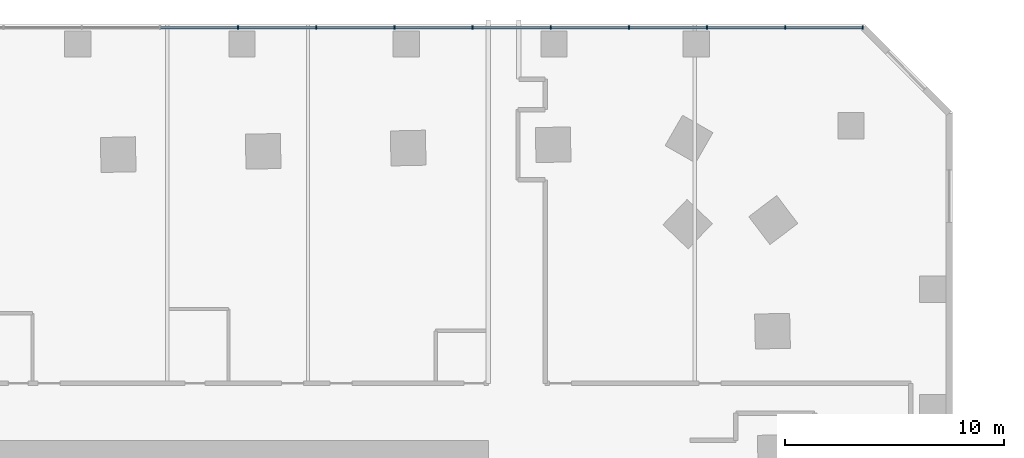
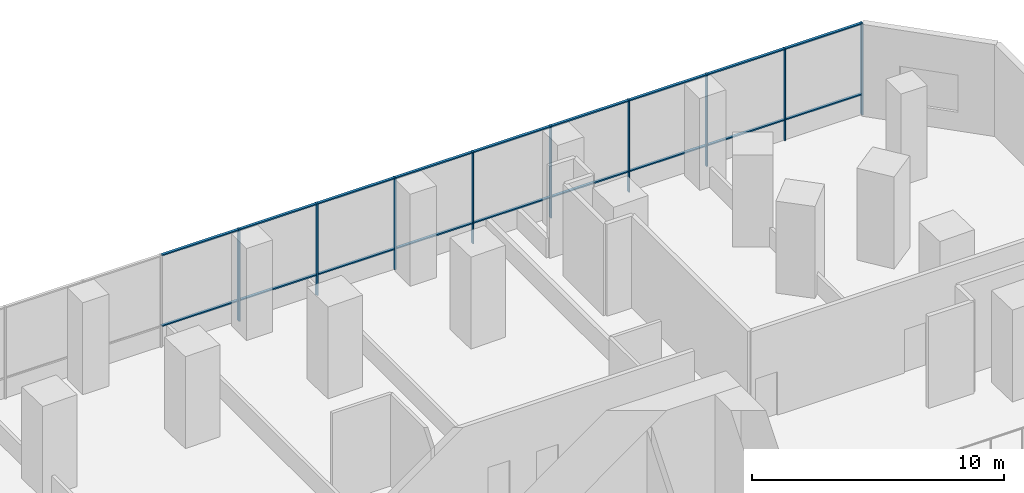
# One storey, part 3 of 11: 27 members, 1 element without a shape of its own.
"""IFC4 building model written with IfcOpenShell, lengths in metres."""

import ifcopenshell
import ifcopenshell.guid

model = None  # the IFC model being written
_history = None  # IfcOwnerHistory: only IFC2X3 demands one
_inside = {}  # id of a spatial element -> (the spatial element, [elements in it])
_under = {}  # id of a project, library or spatial element -> (it, [spatial elements below it])
_declared = {}  # id of a project -> (the project, [libraries it declares])
_typed = {}  # id of a type object -> (the type object, [elements of that type])
_made_of = {}  # id of a material, layer set ... -> (it, [elements and type objects made of it])


def new_model(schema):
    """Start an empty IFC model of exactly this schema.

    Asked for "IFC4X3", IfcOpenShell would pick the latest addendum, in which some entities
    have other attributes; the version numbers below select the first issue.
    IFC2X3 requires an IfcOwnerHistory on every rooted entity: one is made here for all.
    """
    global model, _history
    if schema == "IFC4X3":
        model = ifcopenshell.file(schema_version=(4, 3, 0, 0))
    else:
        model = ifcopenshell.file(schema=schema)
    _inside.clear()
    _under.clear()
    _declared.clear()
    _typed.clear()
    _made_of.clear()
    _history = None
    if model.schema == "IFC2X3":
        org = make("IfcOrganization", Name="unknown")
        user = make(
            "IfcPersonAndOrganization",
            ThePerson=make("IfcPerson", FamilyName="unknown"),
            TheOrganization=org,
        )
        app = make(
            "IfcApplication",
            ApplicationDeveloper=org,
            Version="unknown",
            ApplicationFullName="unknown",
            ApplicationIdentifier="unknown",
        )
        _history = make(
            "IfcOwnerHistory",
            OwningUser=user,
            OwningApplication=app,
            ChangeAction="ADDED",
            CreationDate=0,
        )
    return model


def make(cls, **values):
    """One entity of the class cls with the attributes given. An attribute that is None is left unset."""
    return model.create_entity(
        cls, **{name: value for name, value in values.items() if value is not None}
    )


def rooted(cls, **values):
    """An entity with a GlobalId (a new one), such as an element, a storey or a relation."""
    return make(cls, GlobalId=ifcopenshell.guid.new(), OwnerHistory=_history, **values)


def si_unit(unit_type, name, prefix=None):
    """IfcSIUnit, for example si_unit("LENGTHUNIT", "METRE", prefix="MILLI")."""
    return make("IfcSIUnit", UnitType=unit_type, Prefix=prefix, Name=name)


def assignment(units):
    """IfcUnitAssignment: the units of a project."""
    return None if units is None else make("IfcUnitAssignment", Units=units)


def point(xyz):
    """IfcCartesianPoint."""
    return None if xyz is None else make("IfcCartesianPoint", Coordinates=xyz)


def direction(xyz):
    """IfcDirection."""
    return None if xyz is None else make("IfcDirection", DirectionRatios=xyz)


def frame(location, z_axis=None, x_axis=None):
    """IfcAxis2Placement3D, a coordinate frame: its origin and axes. An axis left out is left unset."""
    return make(
        "IfcAxis2Placement3D",
        Location=point(location),
        Axis=direction(z_axis),
        RefDirection=direction(x_axis),
    )


def frame_2d(location, x_axis=None):
    """IfcAxis2Placement2D, a coordinate frame in the plane: its origin and x axis."""
    return make(
        "IfcAxis2Placement2D", Location=point(location), RefDirection=direction(x_axis)
    )


def origin():
    """The frame at (0, 0, 0) with its axes left unset."""
    return frame((0.0, 0.0, 0.0))


def origin_2d():
    """The frame at (0, 0) in the plane with its x axis left unset."""
    return frame_2d((0.0, 0.0))


def place(relative_to, where):
    """IfcLocalPlacement: puts the frame where relative to a parent placement (None: the world)."""
    return make(
        "IfcLocalPlacement", PlacementRelTo=relative_to, RelativePlacement=where
    )


def context(
    kind, dimensions, precision=None, world=None, true_north=None, identifier=None
):
    """IfcGeometricRepresentationContext, for example the 3D "Model" context."""
    return make(
        "IfcGeometricRepresentationContext",
        ContextIdentifier=identifier,
        ContextType=kind,
        CoordinateSpaceDimension=dimensions,
        Precision=precision,
        WorldCoordinateSystem=world,
        TrueNorth=true_north,
    )


def subcontext(parent, identifier, kind, view, scale=None):
    """IfcGeometricRepresentationSubContext, for example "Body" below "Model"."""
    return make(
        "IfcGeometricRepresentationSubContext",
        ContextIdentifier=identifier,
        ContextType=kind,
        ParentContext=parent,
        TargetScale=scale,
        TargetView=view,
    )


def project(units=None, contexts=None):
    """IfcProject with its units and contexts."""
    return rooted(
        "IfcProject",
        Name="project",
        RepresentationContexts=contexts,
        UnitsInContext=assignment(units),
    )


def spatial(cls, under=None, at=None, **own):
    """A site, building, storey or space (cls), placed at a placement, below another one or the project."""
    s = rooted(cls, ObjectPlacement=at, **own)
    if under is not None:
        _under.setdefault(under.id(), (under, []))[1].append(s)
    return s


def profile(cls, at=None, kind="AREA", **sizes):
    """A parametric profile (cls). Its sizes go by their IFC names, for example OverallWidth=200.0."""
    return make(cls, ProfileType=kind, Position=at, **sizes)


def rectangle(**sizes):
    """IfcRectangleProfileDef."""
    return profile("IfcRectangleProfileDef", **sizes)


def extrude(swept, where, along, depth):
    """IfcExtrudedAreaSolid: the profile swept, set in the frame where, extruded along a direction by depth."""
    return make(
        "IfcExtrudedAreaSolid",
        SweptArea=swept,
        Position=where,
        ExtrudedDirection=direction(along),
        Depth=depth,
    )


def shape(context_of_items, identifier, shape_type, items):
    """IfcShapeRepresentation: the items that make up one representation, for example the "Body"."""
    return make(
        "IfcShapeRepresentation",
        ContextOfItems=context_of_items,
        RepresentationIdentifier=identifier,
        RepresentationType=shape_type,
        Items=items,
    )


def material(Name=None, Category=None):
    """IfcMaterial."""
    return make("IfcMaterial", Name=Name, Category=Category)


def material_profile(
    of_material, cross_section, Name=None, Category=None, Priority=None
):
    """IfcMaterialProfile: a cross section and its material."""
    return make(
        "IfcMaterialProfile",
        Name=Name,
        Material=of_material,
        Profile=cross_section,
        Priority=Priority,
        Category=Category,
    )


def profile_set(profiles, Name=None, composite=None):
    """IfcMaterialProfileSet."""
    return make(
        "IfcMaterialProfileSet",
        Name=Name,
        MaterialProfiles=profiles,
        CompositeProfile=composite,
    )


def made_of(thing, what):
    """Note that an element or type object is made of a material, layer set ...; save() writes the relation."""
    if what is not None:
        _made_of.setdefault(what.id(), (what, []))[1].append(thing)
    return thing


def type_object(cls, material=None, **own):
    """A type object (cls), such as IfcWallType, which elements share."""
    return made_of(rooted(cls, **own), material)


def element(
    cls,
    number,
    at=None,
    inside=None,
    cuts=None,
    type_object=None,
    material=None,
    context=None,
    identifier="Body",
    shape_type=None,
    held_by="IfcProductDefinitionShape",
    body=None,
    shapes=None,
    **own,
):
    """One element of the class cls, such as IfcWall. Its Tag is "e" and its number.

    at: its placement. inside: the storey or other place that contains it. cuts: it is an
    opening in that element (IfcRelVoidsElement). A single representation is given by context,
    identifier, shape_type and body (its items); several are given by shapes. held_by: the class
    of the entity that holds the representations. save() writes the other relations.
    """
    e = rooted(cls, Tag="e%d" % number, ObjectPlacement=at, **own)
    if body is not None:
        shapes = [shape(context, identifier, shape_type, body)]
    if shapes is not None:
        e.Representation = make(held_by, Representations=shapes)
    if inside is not None:
        _inside.setdefault(inside.id(), (inside, []))[1].append(e)
    if cuts is not None:
        rooted(
            "IfcRelVoidsElement", RelatingBuildingElement=cuts, RelatedOpeningElement=e
        )
    if type_object is not None:
        _typed.setdefault(type_object.id(), (type_object, []))[1].append(e)
    return made_of(e, material)


def aggregate(whole, parts):
    """IfcRelAggregates: a whole, such as a stair, and the parts it consists of."""
    return rooted("IfcRelAggregates", RelatingObject=whole, RelatedObjects=parts)


def save(model, path):
    """Write the relations noted so far, then the file.

    IfcRelAggregates (storeys below a building ...), IfcRelContainedInSpatialStructure (elements
    in a storey), IfcRelDefinesByType, IfcRelAssociatesMaterial and IfcRelDeclares: one each for
    every whole, place, type object, material and project.
    """
    for whole, parts in _under.values():
        aggregate(whole, parts)
    for where, things in _inside.values():
        rooted(
            "IfcRelContainedInSpatialStructure",
            RelatedElements=things,
            RelatingStructure=where,
        )
    for kind, things in _typed.values():
        rooted("IfcRelDefinesByType", RelatedObjects=things, RelatingType=kind)
    for what, things in _made_of.values():
        rooted("IfcRelAssociatesMaterial", RelatedObjects=things, RelatingMaterial=what)
    for by, libraries in _declared.values():
        rooted("IfcRelDeclares", RelatingContext=by, RelatedDefinitions=libraries)
    model.write(path)


model = new_model("IFC4")

# Units and contexts
model_context = context("Model", 3, precision=1e-05, world=origin(), true_north=direction((0.0, 1.0)))
body_context = subcontext(model_context, "Body", "Model", "MODEL_VIEW")
ifc_project = project(units=[si_unit("LENGTHUNIT", "METRE"), si_unit("AREAUNIT", "SQUARE_METRE"), si_unit("VOLUMEUNIT", "CUBIC_METRE"), si_unit("PLANEANGLEUNIT", "RADIAN"), si_unit("MASSUNIT", "GRAM", prefix="KILO")], contexts=[model_context])

# Site, building, storey
site_placement = place(None, origin())
site = spatial("IfcSite", under=ifc_project, at=site_placement, CompositionType="ELEMENT")
building_placement = place(site_placement, origin())
building = spatial("IfcBuilding", under=site, at=building_placement, Name="Mangrove Gate Tower", CompositionType="ELEMENT")
storey_placement = place(building_placement, frame((0.0, 0.0, 6.0)))
storey = spatial("IfcBuildingStorey", under=building, at=storey_placement, Name="L01", CompositionType="ELEMENT", Elevation=6.0)

# Curtain wall, members
ifc_material_1 = material(Name="Aluminium and glass curtain wall", Category="aluminium")
curtain_wall_type = type_object("IfcCurtainWallType", Name="Podium amenity glazing wall", PredefinedType="NOTDEFINED", material=ifc_material_1)
curtain_wall_placement = place(storey_placement, origin())
curtain_wall = element("IfcCurtainWall", 1, at=curtain_wall_placement, inside=storey, type_object=curtain_wall_type, Name="Podium amenity glazing N12", PredefinedType="NOTDEFINED")
ifc_material_2 = material(Name="Aluminium alloy 6063-T6", Category="aluminium")
ifc_material_profile_1 = material_profile(ifc_material_2, rectangle(XDim=0.06005859375, YDim=0.159912109375, at=origin_2d()))
ifc_profile_set_1 = profile_set([ifc_material_profile_1], Name="Aluminium alloy 6063-T6")
member_type_1 = type_object("IfcMemberType", Name="Podium amenity glazing mullion 60x160", PredefinedType="MULLION", material=ifc_profile_set_1)
member_1_placement = place(storey_placement, frame((32.10791015625, 30.85009765625, 0.0), z_axis=(0.0, 0.0, 1.0), x_axis=(-1.0, 0.0, 0.0)))
member_1 = element("IfcMember", 2, at=member_1_placement, type_object=member_type_1, Name="CWP mullion 1", PredefinedType="MULLION", context=body_context, shape_type="SweptSolid", body=[
    extrude(rectangle(XDim=0.06005859375, YDim=0.159912109375, at=origin_2d()), origin(), (0.0, 0.0, 1.0), 4.449951171875),
])
member_2_placement = place(storey_placement, frame((28.56689453125, 30.85009765625, 0.0), z_axis=(0.0, 0.0, 1.0), x_axis=(-1.0, 0.0, 0.0)))
member_2 = element("IfcMember", 3, at=member_2_placement, type_object=member_type_1, Name="CWP mullion 2", PredefinedType="MULLION", context=body_context, shape_type="SweptSolid", body=[
    extrude(rectangle(XDim=0.06005859375, YDim=0.159912109375, at=origin_2d()), origin(), (0.0, 0.0, 1.0), 4.449951171875),
])
member_3_placement = place(storey_placement, frame((24.99609375, 30.85009765625, 0.0), z_axis=(0.0, 0.0, 1.0), x_axis=(-1.0, 0.0, 0.0)))
member_3 = element("IfcMember", 4, at=member_3_placement, type_object=member_type_1, Name="CWP mullion 3", PredefinedType="MULLION", context=body_context, shape_type="SweptSolid", body=[
    extrude(rectangle(XDim=0.06005859375, YDim=0.159912109375, at=origin_2d()), origin(), (0.0, 0.0, 1.0), 4.449951171875),
])
member_4_placement = place(storey_placement, frame((21.42529296875, 30.85009765625, 0.0), z_axis=(0.0, 0.0, 1.0), x_axis=(-1.0, 0.0, 0.0)))
member_4 = element("IfcMember", 5, at=member_4_placement, type_object=member_type_1, Name="CWP mullion 4", PredefinedType="MULLION", context=body_context, shape_type="SweptSolid", body=[
    extrude(rectangle(XDim=0.06005859375, YDim=0.159912109375, at=origin_2d()), origin(), (0.0, 0.0, 1.0), 4.449951171875),
])
member_5_placement = place(storey_placement, frame((17.8544921875, 30.85009765625, 0.0), z_axis=(0.0, 0.0, 1.0), x_axis=(-1.0, 0.0, 0.0)))
member_5 = element("IfcMember", 6, at=member_5_placement, type_object=member_type_1, Name="CWP mullion 5", PredefinedType="MULLION", context=body_context, shape_type="SweptSolid", body=[
    extrude(rectangle(XDim=0.06005859375, YDim=0.159912109375, at=origin_2d()), origin(), (0.0, 0.0, 1.0), 4.449951171875),
])
member_6_placement = place(storey_placement, frame((14.283447265625, 30.85009765625, 0.0), z_axis=(0.0, 0.0, 1.0), x_axis=(-1.0, 0.0, 0.0)))
member_6 = element("IfcMember", 7, at=member_6_placement, type_object=member_type_1, Name="CWP mullion 6", PredefinedType="MULLION", context=body_context, shape_type="SweptSolid", body=[
    extrude(rectangle(XDim=0.06005859375, YDim=0.159912109375, at=origin_2d()), origin(), (0.0, 0.0, 1.0), 4.449951171875),
])
member_7_placement = place(storey_placement, frame((10.712646484375, 30.85009765625, 0.0), z_axis=(0.0, 0.0, 1.0), x_axis=(-1.0, 0.0, 0.0)))
member_7 = element("IfcMember", 8, at=member_7_placement, type_object=member_type_1, Name="CWP mullion 7", PredefinedType="MULLION", context=body_context, shape_type="SweptSolid", body=[
    extrude(rectangle(XDim=0.06005859375, YDim=0.159912109375, at=origin_2d()), origin(), (0.0, 0.0, 1.0), 4.449951171875),
])
member_8_placement = place(storey_placement, frame((7.141845703125, 30.85009765625, 0.0), z_axis=(0.0, 0.0, 1.0), x_axis=(-1.0, 0.0, 0.0)))
member_8 = element("IfcMember", 9, at=member_8_placement, type_object=member_type_1, Name="CWP mullion 8", PredefinedType="MULLION", context=body_context, shape_type="SweptSolid", body=[
    extrude(rectangle(XDim=0.06005859375, YDim=0.159912109375, at=origin_2d()), origin(), (0.0, 0.0, 1.0), 4.449951171875),
])
member_9_placement = place(storey_placement, frame((3.57080078125, 30.85009765625, 0.0), z_axis=(0.0, 0.0, 1.0), x_axis=(-1.0, 0.0, 0.0)))
member_9 = element("IfcMember", 10, at=member_9_placement, type_object=member_type_1, Name="CWP mullion 9", PredefinedType="MULLION", context=body_context, shape_type="SweptSolid", body=[
    extrude(rectangle(XDim=0.06005859375, YDim=0.159912109375, at=origin_2d()), origin(), (0.0, 0.0, 1.0), 4.449951171875),
])
ifc_material_3 = material(Name="Aluminium alloy 6063-T6", Category="aluminium")
ifc_material_profile_2 = material_profile(ifc_material_3, rectangle(XDim=0.06005859375, YDim=0.1201171875, at=origin_2d()))
ifc_profile_set_2 = profile_set([ifc_material_profile_2], Name="Aluminium alloy 6063-T6")
member_type_2 = type_object("IfcMemberType", Name="Podium amenity glazing transom 60x120", PredefinedType="USERDEFINED", material=ifc_profile_set_2)
member_10_placement = place(storey_placement, frame((32.077880859375, 30.85009765625, 1.0), z_axis=(-1.0, 0.0, 0.0), x_axis=(0.0, 0.0, 1.0)))
member_10 = element("IfcMember", 11, at=member_10_placement, type_object=member_type_2, Name="CWP transom 1.2", ObjectType="TRANSOM", PredefinedType="USERDEFINED", context=body_context, shape_type="SweptSolid", body=[
    extrude(rectangle(XDim=0.06005859375, YDim=0.1201171875, at=origin_2d()), origin(), (0.0, 0.0, 1.0), 3.48095703125),
])
member_11_placement = place(storey_placement, frame((32.077880859375, 30.85009765625, 4.419921875), z_axis=(-1.0, 0.0, 0.0), x_axis=(0.0, 0.0, 1.0)))
member_11 = element("IfcMember", 12, at=member_11_placement, type_object=member_type_2, Name="CWP transom 1.3", ObjectType="TRANSOM", PredefinedType="USERDEFINED", context=body_context, shape_type="SweptSolid", body=[
    extrude(rectangle(XDim=0.06005859375, YDim=0.1201171875, at=origin_2d()), origin(), (0.0, 0.0, 1.0), 3.48095703125),
])
member_12_placement = place(storey_placement, frame((28.537109375, 30.85009765625, 1.0), z_axis=(-1.0, 0.0, 0.0), x_axis=(0.0, 0.0, 1.0)))
member_12 = element("IfcMember", 13, at=member_12_placement, type_object=member_type_2, Name="CWP transom 2.2", ObjectType="TRANSOM", PredefinedType="USERDEFINED", context=body_context, shape_type="SweptSolid", body=[
    extrude(rectangle(XDim=0.06005859375, YDim=0.1201171875, at=origin_2d()), origin(), (0.0, 0.0, 1.0), 3.510986328125),
])
member_13_placement = place(storey_placement, frame((28.537109375, 30.85009765625, 4.419921875), z_axis=(-1.0, 0.0, 0.0), x_axis=(0.0, 0.0, 1.0)))
member_13 = element("IfcMember", 14, at=member_13_placement, type_object=member_type_2, Name="CWP transom 2.3", ObjectType="TRANSOM", PredefinedType="USERDEFINED", context=body_context, shape_type="SweptSolid", body=[
    extrude(rectangle(XDim=0.06005859375, YDim=0.1201171875, at=origin_2d()), origin(), (0.0, 0.0, 1.0), 3.510986328125),
])
member_14_placement = place(storey_placement, frame((24.966064453125, 30.85009765625, 1.0), z_axis=(-1.0, 0.0, 0.0), x_axis=(0.0, 0.0, 1.0)))
member_14 = element("IfcMember", 15, at=member_14_placement, type_object=member_type_2, Name="CWP transom 3.2", ObjectType="TRANSOM", PredefinedType="USERDEFINED", context=body_context, shape_type="SweptSolid", body=[
    extrude(rectangle(XDim=0.06005859375, YDim=0.1201171875, at=origin_2d()), origin(), (0.0, 0.0, 1.0), 3.5107421875),
])
member_15_placement = place(storey_placement, frame((24.966064453125, 30.85009765625, 4.419921875), z_axis=(-1.0, 0.0, 0.0), x_axis=(0.0, 0.0, 1.0)))
member_15 = element("IfcMember", 16, at=member_15_placement, type_object=member_type_2, Name="CWP transom 3.3", ObjectType="TRANSOM", PredefinedType="USERDEFINED", context=body_context, shape_type="SweptSolid", body=[
    extrude(rectangle(XDim=0.06005859375, YDim=0.1201171875, at=origin_2d()), origin(), (0.0, 0.0, 1.0), 3.5107421875),
])
member_16_placement = place(storey_placement, frame((21.395263671875, 30.85009765625, 1.0), z_axis=(-1.0, 0.0, 0.0), x_axis=(0.0, 0.0, 1.0)))
member_16 = element("IfcMember", 17, at=member_16_placement, type_object=member_type_2, Name="CWP transom 4.2", ObjectType="TRANSOM", PredefinedType="USERDEFINED", context=body_context, shape_type="SweptSolid", body=[
    extrude(rectangle(XDim=0.06005859375, YDim=0.1201171875, at=origin_2d()), origin(), (0.0, 0.0, 1.0), 3.510986328125),
])
member_17_placement = place(storey_placement, frame((21.395263671875, 30.85009765625, 4.419921875), z_axis=(-1.0, 0.0, 0.0), x_axis=(0.0, 0.0, 1.0)))
member_17 = element("IfcMember", 18, at=member_17_placement, type_object=member_type_2, Name="CWP transom 4.3", ObjectType="TRANSOM", PredefinedType="USERDEFINED", context=body_context, shape_type="SweptSolid", body=[
    extrude(rectangle(XDim=0.06005859375, YDim=0.1201171875, at=origin_2d()), origin(), (0.0, 0.0, 1.0), 3.510986328125),
])
member_18_placement = place(storey_placement, frame((17.824462890625, 30.85009765625, 1.0), z_axis=(-1.0, 0.0, 0.0), x_axis=(0.0, 0.0, 1.0)))
member_18 = element("IfcMember", 19, at=member_18_placement, type_object=member_type_2, Name="CWP transom 5.2", ObjectType="TRANSOM", PredefinedType="USERDEFINED", context=body_context, shape_type="SweptSolid", body=[
    extrude(rectangle(XDim=0.06005859375, YDim=0.1201171875, at=origin_2d()), origin(), (0.0, 0.0, 1.0), 3.510986328125),
])
member_19_placement = place(storey_placement, frame((17.824462890625, 30.85009765625, 4.419921875), z_axis=(-1.0, 0.0, 0.0), x_axis=(0.0, 0.0, 1.0)))
member_19 = element("IfcMember", 20, at=member_19_placement, type_object=member_type_2, Name="CWP transom 5.3", ObjectType="TRANSOM", PredefinedType="USERDEFINED", context=body_context, shape_type="SweptSolid", body=[
    extrude(rectangle(XDim=0.06005859375, YDim=0.1201171875, at=origin_2d()), origin(), (0.0, 0.0, 1.0), 3.510986328125),
])
member_20_placement = place(storey_placement, frame((14.25341796875, 30.85009765625, 1.0), z_axis=(-1.0, 0.0, 0.0), x_axis=(0.0, 0.0, 1.0)))
member_20 = element("IfcMember", 21, at=member_20_placement, type_object=member_type_2, Name="CWP transom 6.2", ObjectType="TRANSOM", PredefinedType="USERDEFINED", context=body_context, shape_type="SweptSolid", body=[
    extrude(rectangle(XDim=0.06005859375, YDim=0.1201171875, at=origin_2d()), origin(), (0.0, 0.0, 1.0), 3.5107421875),
])
member_21_placement = place(storey_placement, frame((14.25341796875, 30.85009765625, 4.419921875), z_axis=(-1.0, 0.0, 0.0), x_axis=(0.0, 0.0, 1.0)))
member_21 = element("IfcMember", 22, at=member_21_placement, type_object=member_type_2, Name="CWP transom 6.3", ObjectType="TRANSOM", PredefinedType="USERDEFINED", context=body_context, shape_type="SweptSolid", body=[
    extrude(rectangle(XDim=0.06005859375, YDim=0.1201171875, at=origin_2d()), origin(), (0.0, 0.0, 1.0), 3.5107421875),
])
member_22_placement = place(storey_placement, frame((10.6826171875, 30.85009765625, 1.0), z_axis=(-1.0, 0.0, 0.0), x_axis=(0.0, 0.0, 1.0)))
member_22 = element("IfcMember", 23, at=member_22_placement, type_object=member_type_2, Name="CWP transom 7.2", ObjectType="TRANSOM", PredefinedType="USERDEFINED", context=body_context, shape_type="SweptSolid", body=[
    extrude(rectangle(XDim=0.06005859375, YDim=0.1201171875, at=origin_2d()), origin(), (0.0, 0.0, 1.0), 3.510986328125),
])
member_23_placement = place(storey_placement, frame((10.6826171875, 30.85009765625, 4.419921875), z_axis=(-1.0, 0.0, 0.0), x_axis=(0.0, 0.0, 1.0)))
member_23 = element("IfcMember", 24, at=member_23_placement, type_object=member_type_2, Name="CWP transom 7.3", ObjectType="TRANSOM", PredefinedType="USERDEFINED", context=body_context, shape_type="SweptSolid", body=[
    extrude(rectangle(XDim=0.06005859375, YDim=0.1201171875, at=origin_2d()), origin(), (0.0, 0.0, 1.0), 3.510986328125),
])
member_24_placement = place(storey_placement, frame((7.11181640625, 30.85009765625, 1.0), z_axis=(-1.0, 0.0, 0.0), x_axis=(0.0, 0.0, 1.0)))
member_24 = element("IfcMember", 25, at=member_24_placement, type_object=member_type_2, Name="CWP transom 8.2", ObjectType="TRANSOM", PredefinedType="USERDEFINED", context=body_context, shape_type="SweptSolid", body=[
    extrude(rectangle(XDim=0.06005859375, YDim=0.1201171875, at=origin_2d()), origin(), (0.0, 0.0, 1.0), 3.510986328125),
])
member_25_placement = place(storey_placement, frame((7.11181640625, 30.85009765625, 4.419921875), z_axis=(-1.0, 0.0, 0.0), x_axis=(0.0, 0.0, 1.0)))
member_25 = element("IfcMember", 26, at=member_25_placement, type_object=member_type_2, Name="CWP transom 8.3", ObjectType="TRANSOM", PredefinedType="USERDEFINED", context=body_context, shape_type="SweptSolid", body=[
    extrude(rectangle(XDim=0.06005859375, YDim=0.1201171875, at=origin_2d()), origin(), (0.0, 0.0, 1.0), 3.510986328125),
])
member_26_placement = place(storey_placement, frame((3.540771484375, 30.85009765625, 1.0), z_axis=(-1.0, 0.0, 0.0), x_axis=(0.0, 0.0, 1.0)))
member_26 = element("IfcMember", 27, at=member_26_placement, type_object=member_type_2, Name="CWP transom 9.2", ObjectType="TRANSOM", PredefinedType="USERDEFINED", context=body_context, shape_type="SweptSolid", body=[
    extrude(rectangle(XDim=0.06005859375, YDim=0.1201171875, at=origin_2d()), origin(), (0.0, 0.0, 1.0), 3.5107421875),
])
member_27_placement = place(storey_placement, frame((3.540771484375, 30.85009765625, 4.419921875), z_axis=(-1.0, 0.0, 0.0), x_axis=(0.0, 0.0, 1.0)))
member_27 = element("IfcMember", 28, at=member_27_placement, type_object=member_type_2, Name="CWP transom 9.3", ObjectType="TRANSOM", PredefinedType="USERDEFINED", context=body_context, shape_type="SweptSolid", body=[
    extrude(rectangle(XDim=0.06005859375, YDim=0.1201171875, at=origin_2d()), origin(), (0.0, 0.0, 1.0), 3.5107421875),
])
aggregate(curtain_wall, [member_1, member_2, member_3, member_4, member_5, member_6, member_7, member_8, member_9, member_10, member_11, member_12, member_13, member_14, member_15, member_16, member_17, member_18, member_19, member_20, member_21, member_22, member_23, member_24, member_25, member_26, member_27])

save(model, "model.ifc")
